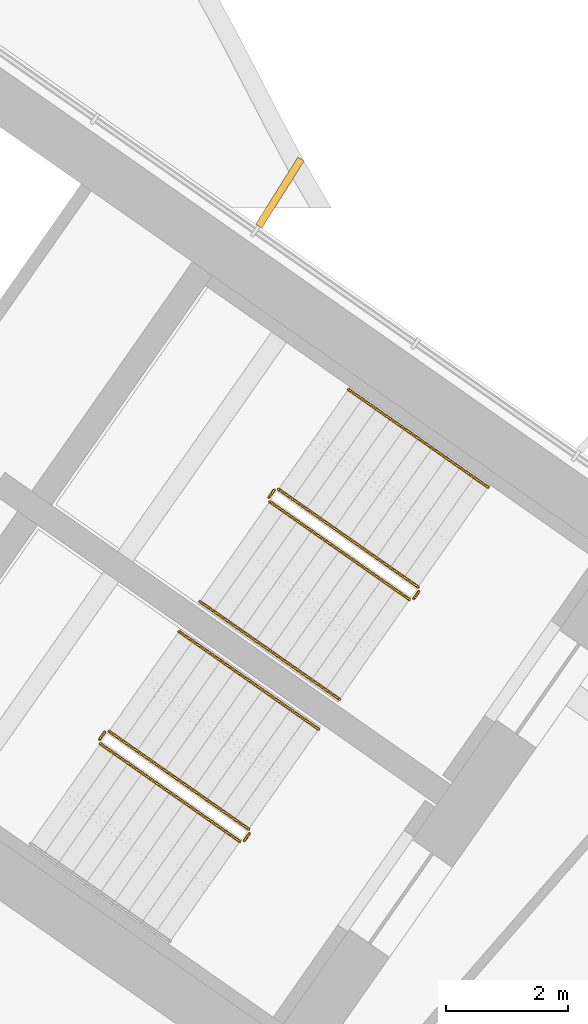
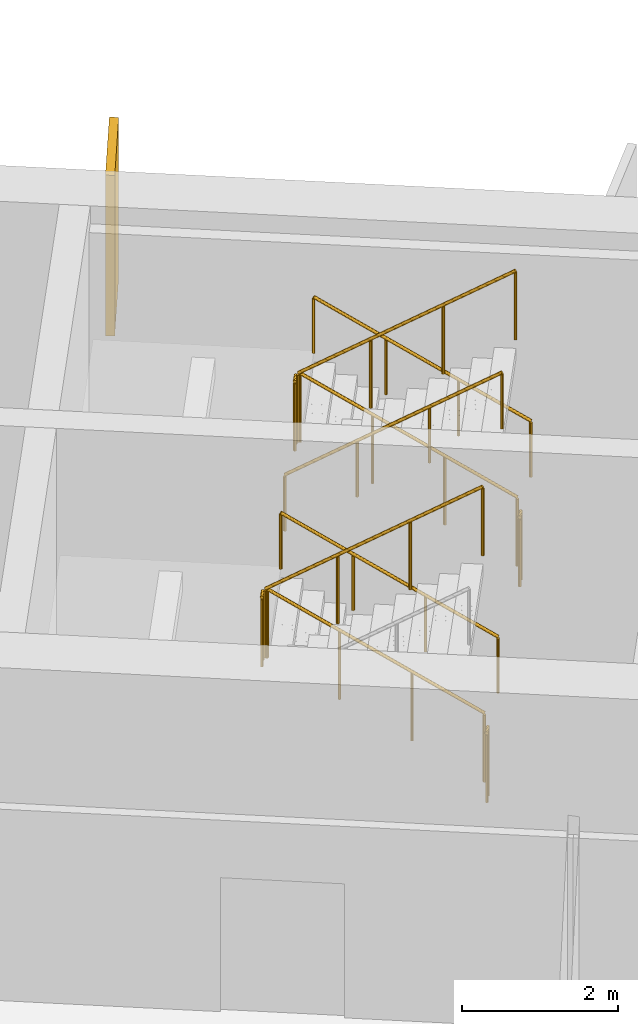
# One storey, part 22 of 23: 11 railings, 1 shading device.
"""IFC4 building model written with IfcOpenShell, lengths in metres."""

from ifc_helpers import new_model, si_unit, direction, frame, origin, origin_2d, place, context, subcontext, project, spatial, rectangle, circle, extrude, material, layer, layer_set, type_object, element, save


model = new_model("IFC4")

# Units and contexts
model_context = context("Model", 3, precision=1e-05, world=origin(), true_north=direction((0.0, 1.0)))
body_context = subcontext(model_context, "Body", "Model", "MODEL_VIEW")
ifc_project = project(units=[si_unit("LENGTHUNIT", "METRE"), si_unit("AREAUNIT", "SQUARE_METRE"), si_unit("VOLUMEUNIT", "CUBIC_METRE"), si_unit("PLANEANGLEUNIT", "RADIAN"), si_unit("MASSUNIT", "GRAM", prefix="KILO")], contexts=[model_context])

# Site, building, storey
site_placement = place(None, origin())
site = spatial("IfcSite", under=ifc_project, at=site_placement, CompositionType="ELEMENT")
building_placement = place(site_placement, origin())
building = spatial("IfcBuilding", under=site, at=building_placement, Name="Tel Ilan Convention Tower", CompositionType="ELEMENT")
storey_placement = place(building_placement, frame((0.0, 0.0, 178.800048828125)))
storey = spatial("IfcBuildingStorey", under=building, at=storey_placement, Name="L41", CompositionType="ELEMENT", Elevation=178.800048828125)

# Shading device
ifc_material_1 = material(Name="Aluminium, bronze anodised", Category="aluminium")
ifc_layer = layer(ifc_material_1, 0.1201171875)
ifc_layer_set = layer_set([ifc_layer], Name="FIN BRONZE 1300x120")
shading_device_type = type_object("IfcShadingDeviceType", Name="FIN BRONZE 1300x120", PredefinedType="USERDEFINED", material=ifc_layer_set)
shading_device_placement = place(storey_placement, frame((21.408935546875, -1.376953125, 1.099853515625), z_axis=(0.0, 0.0, 1.0), x_axis=(0.533204432798, 0.845986425922, 0.0)))
element("IfcShadingDevice", 1, at=shading_device_placement, inside=storey, type_object=shading_device_type, Name="FIN", ObjectType="FIN", PredefinedType="USERDEFINED", context=body_context, shape_type="SweptSolid", body=[
    extrude(rectangle(XDim=1.300048828125, YDim=0.1201171875, at=origin_2d()), origin(), (0.0, 0.0, 1.0), 2.52001953125),
])

# Railings
ifc_material_2 = material(Name="Stainless Steel Grade 316", Category="steel")
railing_type_1 = type_object("IfcRailingType", Name="Stainless Steel Stair Guard 1100 mm", PredefinedType="GUARDRAIL", material=ifc_material_2)
railing_1_placement = place(storey_placement, frame((23.6787109375, -7.8515625, 0.17724609375)))
element("IfcRailing", 2, at=railing_1_placement, inside=storey, type_object=railing_type_1, Name="L41 S3 stair guard 1", PredefinedType="GUARDRAIL", context=body_context, shape_type="SweptSolid", body=[
    extrude(circle(Radius=0.02392578125, at=origin_2d()), frame((0.0, 0.0, 1.076171875), z_axis=(-0.692084706163, 0.484621375041, 0.534940073605), x_axis=(-0.573591086599, -0.819141785879, 0.0)), (0.0, 0.0, 1.0), 3.313720703125),
    extrude(circle(Radius=0.02099609375, at=origin_2d()), origin(), (0.0, 0.0, 1.0), 1.052001953125),
    extrude(circle(Radius=0.02099609375, at=origin_2d()), frame((-0.764404296875, 0.535400390625, 0.5908203125)), (0.0, 0.0, 1.0), 1.052001953125),
    extrude(circle(Radius=0.02099609375, at=origin_2d()), frame((-1.529052734375, 1.070556640625, 1.181884765625)), (0.0, 0.0, 1.0), 1.052001953125),
    extrude(circle(Radius=0.02099609375, at=origin_2d()), frame((-2.29345703125, 1.60595703125, 1.772705078125)), (0.0, 0.0, 1.0), 1.052001953125),
])
railing_2_placement = place(storey_placement, frame((21.3154296875, -6.2578125, 1.949951171875)))
element("IfcRailing", 3, at=railing_2_placement, inside=storey, type_object=railing_type_1, Name="L41 S3 stair guard 2", PredefinedType="GUARDRAIL", context=body_context, shape_type="SweptSolid", body=[
    extrude(circle(Radius=0.02392578125, at=origin_2d()), frame((0.0, 0.0, 1.076171875), z_axis=(-0.573353020881, -0.819308436089, 0.0), x_axis=(0.819308436089, -0.573353020881, 0.0)), (0.0, 0.0, 1.0), 0.14990234375),
    extrude(circle(Radius=0.02099609375, at=origin_2d()), origin(), (0.0, 0.0, 1.0), 1.052001953125),
    extrude(circle(Radius=0.02099609375, at=origin_2d()), frame((-0.0859375, -0.122802734375, 0.0)), (0.0, 0.0, 1.0), 1.052001953125),
])
railing_3_placement = place(storey_placement, frame((21.24169921875, -6.4501953125, 2.127197265625)))
element("IfcRailing", 4, at=railing_3_placement, inside=storey, type_object=railing_type_1, Name="L41 S3 stair guard 3", PredefinedType="GUARDRAIL", context=body_context, shape_type="SweptSolid", body=[
    extrude(circle(Radius=0.02392578125, at=origin_2d()), frame((0.0, 0.0, 1.076171875), z_axis=(0.692098378994, -0.484653031975, 0.534893701956), x_axis=(0.573608623498, 0.819129505664, 0.0)), (0.0, 0.0, 1.0), 3.314208984375),
    extrude(circle(Radius=0.02099609375, at=origin_2d()), origin(), (0.0, 0.0, 1.0), 1.052001953125),
    extrude(circle(Radius=0.02099609375, at=origin_2d()), frame((0.7646484375, -0.535400390625, 0.5908203125)), (0.0, 0.0, 1.0), 1.052001953125),
    extrude(circle(Radius=0.02099609375, at=origin_2d()), frame((1.529052734375, -1.07080078125, 1.181884765625)), (0.0, 0.0, 1.0), 1.052001953125),
    extrude(circle(Radius=0.02099609375, at=origin_2d()), frame((2.293701171875, -1.606201171875, 1.772705078125)), (0.0, 0.0, 1.0), 1.052001953125),
])
railing_4_placement = place(storey_placement, frame((23.691162109375, -7.921142578125, 0.0)))
element("IfcRailing", 5, at=railing_4_placement, inside=storey, type_object=railing_type_1, Name="L41 S3 stair guard 4", PredefinedType="GUARDRAIL", context=body_context, shape_type="SweptSolid", body=[
    extrude(circle(Radius=0.02392578125, at=origin_2d()), frame((0.0, 0.0, 1.076171875), z_axis=(-0.574444878118, -0.818543268254, 0.0), x_axis=(0.818543268254, -0.574444878118, 0.0)), (0.0, 0.0, 1.0), 0.150146484375),
    extrude(circle(Radius=0.02099609375, at=origin_2d()), origin(), (0.0, 0.0, 1.0), 1.052001953125),
    extrude(circle(Radius=0.02099609375, at=origin_2d()), frame((-0.086181640625, -0.122802734375, 0.0)), (0.0, 0.0, 1.0), 1.052001953125),
])
railing_5_placement = place(storey_placement, frame((20.89697265625, -11.824462890625, 0.17724609375)))
element("IfcRailing", 6, at=railing_5_placement, inside=storey, type_object=railing_type_1, Name="L41 S4 stair guard 1", PredefinedType="GUARDRAIL", context=body_context, shape_type="SweptSolid", body=[
    extrude(circle(Radius=0.02392578125, at=origin_2d()), frame((0.0, 0.0, 1.076171875), z_axis=(-0.692123088272, 0.484596665743, 0.534912798717), x_axis=(-0.573550118428, -0.819170471667, 0.0)), (0.0, 0.0, 1.0), 3.31396484375),
    extrude(circle(Radius=0.02099609375, at=origin_2d()), origin(), (0.0, 0.0, 1.0), 1.052001953125),
    extrude(circle(Radius=0.02099609375, at=origin_2d()), frame((-0.7646484375, 0.535400390625, 0.5908203125)), (0.0, 0.0, 1.0), 1.052001953125),
    extrude(circle(Radius=0.02099609375, at=origin_2d()), frame((-1.529052734375, 1.070556640625, 1.181884765625)), (0.0, 0.0, 1.0), 1.052001953125),
    extrude(circle(Radius=0.02099609375, at=origin_2d()), frame((-2.293701171875, 1.60595703125, 1.772705078125)), (0.0, 0.0, 1.0), 1.052001953125),
])
railing_6_placement = place(storey_placement, frame((18.53369140625, -10.230712890625, 1.949951171875)))
element("IfcRailing", 7, at=railing_6_placement, inside=storey, type_object=railing_type_1, Name="L41 S4 stair guard 2", PredefinedType="GUARDRAIL", context=body_context, shape_type="SweptSolid", body=[
    extrude(circle(Radius=0.02392578125, at=origin_2d()), frame((0.0, 0.0, 1.076171875), z_axis=(-0.573353020881, -0.819308436089, 0.0), x_axis=(0.819308436089, -0.573353020881, 0.0)), (0.0, 0.0, 1.0), 0.14990234375),
    extrude(circle(Radius=0.02099609375, at=origin_2d()), origin(), (0.0, 0.0, 1.0), 1.052001953125),
    extrude(circle(Radius=0.02099609375, at=origin_2d()), frame((-0.0859375, -0.122802734375, 0.0)), (0.0, 0.0, 1.0), 1.052001953125),
])
railing_7_placement = place(storey_placement, frame((18.4599609375, -10.423095703125, 2.127197265625)))
element("IfcRailing", 8, at=railing_7_placement, inside=storey, type_object=railing_type_1, Name="L41 S4 stair guard 3", PredefinedType="GUARDRAIL", context=body_context, shape_type="SweptSolid", body=[
    extrude(circle(Radius=0.02392578125, at=origin_2d()), frame((0.0, 0.0, 1.076171875), z_axis=(0.692098378994, -0.484653031975, 0.534893701956), x_axis=(0.573608623498, 0.819129505664, 0.0)), (0.0, 0.0, 1.0), 3.314208984375),
    extrude(circle(Radius=0.02099609375, at=origin_2d()), origin(), (0.0, 0.0, 1.0), 1.052001953125),
    extrude(circle(Radius=0.02099609375, at=origin_2d()), frame((0.7646484375, -0.535400390625, 0.5908203125)), (0.0, 0.0, 1.0), 1.052001953125),
    extrude(circle(Radius=0.02099609375, at=origin_2d()), frame((1.529052734375, -1.07080078125, 1.181884765625)), (0.0, 0.0, 1.0), 1.052001953125),
    extrude(circle(Radius=0.02099609375, at=origin_2d()), frame((2.293701171875, -1.606201171875, 1.772705078125)), (0.0, 0.0, 1.0), 1.052001953125),
])
railing_8_placement = place(storey_placement, frame((20.9091796875, -11.89404296875, 0.0)))
element("IfcRailing", 9, at=railing_8_placement, inside=storey, type_object=railing_type_1, Name="L41 S4 stair guard 4", PredefinedType="GUARDRAIL", context=body_context, shape_type="SweptSolid", body=[
    extrude(circle(Radius=0.02392578125, at=origin_2d()), frame((0.0, 0.0, 1.076171875), z_axis=(-0.573353020881, -0.819308436089, 0.0), x_axis=(0.819308436089, -0.573353020881, 0.0)), (0.0, 0.0, 1.0), 0.14990234375),
    extrude(circle(Radius=0.02099609375, at=origin_2d()), origin(), (0.0, 0.0, 1.0), 1.052001953125),
    extrude(circle(Radius=0.02099609375, at=origin_2d()), frame((-0.0859375, -0.122802734375, 0.0)), (0.0, 0.0, 1.0), 1.052001953125),
])
ifc_material_3 = material(Name="Stainless Steel Grade 316", Category="steel")
railing_type_2 = type_object("IfcRailingType", Name="Stainless Steel Stair Handrail 900 mm", PredefinedType="HANDRAIL", material=ifc_material_3)
railing_9_placement = place(storey_placement, frame((24.825927734375, -6.213134765625, 0.17724609375)))
element("IfcRailing", 10, at=railing_9_placement, inside=storey, type_object=railing_type_2, Name="L41 S3 stair handrail 1", PredefinedType="HANDRAIL", context=body_context, shape_type="SweptSolid", body=[
    extrude(circle(Radius=0.02392578125, at=origin_2d()), frame((0.0, 0.0, 0.8759765625), z_axis=(-0.692123088272, 0.484596665743, 0.534912798717), x_axis=(-0.573550118428, -0.819170471667, 0.0)), (0.0, 0.0, 1.0), 3.31396484375),
    extrude(circle(Radius=0.02099609375, at=origin_2d()), origin(), (0.0, 0.0, 1.0), 0.851806640625),
    extrude(circle(Radius=0.02099609375, at=origin_2d()), frame((-0.7646484375, 0.535400390625, 0.5908203125)), (0.0, 0.0, 1.0), 0.851806640625),
    extrude(circle(Radius=0.02099609375, at=origin_2d()), frame((-1.529052734375, 1.070556640625, 1.181884765625)), (0.0, 0.0, 1.0), 0.851806640625),
    extrude(circle(Radius=0.02099609375, at=origin_2d()), frame((-2.293701171875, 1.60595703125, 1.772705078125)), (0.0, 0.0, 1.0), 0.851806640625),
])
railing_10_placement = place(storey_placement, frame((20.0947265625, -8.088623046875, 2.127197265625)))
element("IfcRailing", 11, at=railing_10_placement, inside=storey, type_object=railing_type_2, Name="L41 S3 stair handrail 2", PredefinedType="HANDRAIL", context=body_context, shape_type="SweptSolid", body=[
    extrude(circle(Radius=0.02392578125, at=origin_2d()), frame((0.0, 0.0, 0.8759765625), z_axis=(0.692084706163, -0.484621375041, 0.534940073605), x_axis=(0.573591086599, 0.819141785879, 0.0)), (0.0, 0.0, 1.0), 3.313720703125),
    extrude(circle(Radius=0.02099609375, at=origin_2d()), origin(), (0.0, 0.0, 1.0), 0.851806640625),
    extrude(circle(Radius=0.02099609375, at=origin_2d()), frame((0.764404296875, -0.535400390625, 0.5908203125)), (0.0, 0.0, 1.0), 0.851806640625),
    extrude(circle(Radius=0.02099609375, at=origin_2d()), frame((1.529052734375, -1.070556640625, 1.181884765625)), (0.0, 0.0, 1.0), 0.851806640625),
    extrude(circle(Radius=0.02099609375, at=origin_2d()), frame((2.29345703125, -1.60595703125, 1.772705078125)), (0.0, 0.0, 1.0), 0.851806640625),
])
railing_11_placement = place(storey_placement, frame((22.044189453125, -10.18603515625, 0.17724609375)))
element("IfcRailing", 12, at=railing_11_placement, inside=storey, type_object=railing_type_2, Name="L41 S4 stair handrail 1", PredefinedType="HANDRAIL", context=body_context, shape_type="SweptSolid", body=[
    extrude(circle(Radius=0.02392578125, at=origin_2d()), frame((0.0, 0.0, 0.8759765625), z_axis=(-0.692123088272, 0.484596665743, 0.534912798717), x_axis=(-0.573550118428, -0.819170471667, 0.0)), (0.0, 0.0, 1.0), 3.31396484375),
    extrude(circle(Radius=0.02099609375, at=origin_2d()), origin(), (0.0, 0.0, 1.0), 0.851806640625),
    extrude(circle(Radius=0.02099609375, at=origin_2d()), frame((-0.7646484375, 0.535400390625, 0.5908203125)), (0.0, 0.0, 1.0), 0.851806640625),
    extrude(circle(Radius=0.02099609375, at=origin_2d()), frame((-1.529052734375, 1.070556640625, 1.181884765625)), (0.0, 0.0, 1.0), 0.851806640625),
    extrude(circle(Radius=0.02099609375, at=origin_2d()), frame((-2.293701171875, 1.60595703125, 1.772705078125)), (0.0, 0.0, 1.0), 0.851806640625),
])

save(model, "model.ifc")
